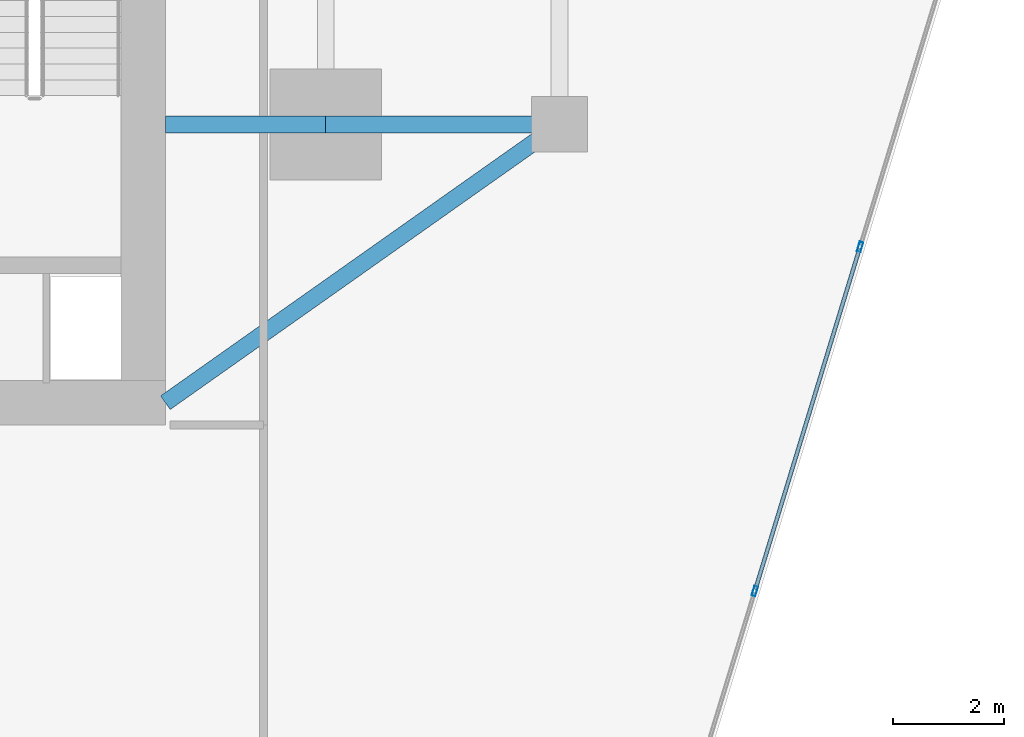
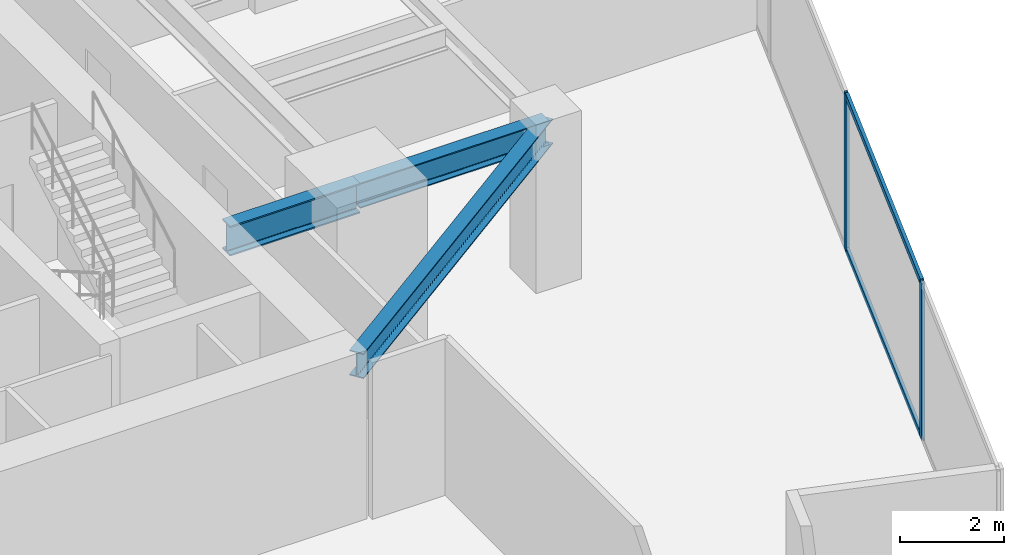
# One storey, part 10 of 26: 4 members, 3 beams, 1 element without a shape of its own.
"""IFC4 building model written with IfcOpenShell, lengths in metres."""

from ifc_helpers import new_model, si_unit, direction, frame, origin, origin_2d, place, context, subcontext, project, spatial, hollow_rectangle, i_section, extrude, source, transform, mapped, material, material_profile, profile_set, type_object, type_shapes, element, aggregate, save


model = new_model("IFC4")

# Units and contexts
model_context = context("Model", 3, precision=1e-05, world=origin(), true_north=direction((0.0, 1.0)))
body_context = subcontext(model_context, "Body", "Model", "MODEL_VIEW")
ifc_project = project(units=[si_unit("LENGTHUNIT", "METRE"), si_unit("AREAUNIT", "SQUARE_METRE"), si_unit("VOLUMEUNIT", "CUBIC_METRE"), si_unit("PLANEANGLEUNIT", "RADIAN"), si_unit("MASSUNIT", "GRAM", prefix="KILO")], contexts=[model_context])

# Site, building, storey
site_placement = place(None, origin())
site = spatial("IfcSite", under=ifc_project, at=site_placement, CompositionType="ELEMENT")
building_placement = place(site_placement, origin())
building = spatial("IfcBuilding", under=site, at=building_placement, Name="Krantzveldt Concourse Tower", CompositionType="ELEMENT")
storey_placement = place(building_placement, frame((0.0, 0.0, 109.800048828125)))
storey = spatial("IfcBuildingStorey", under=building, at=storey_placement, Name="L26", CompositionType="ELEMENT", Elevation=109.800048828125)

# Beams
ifc_material_1 = material(Name="Steel S355J2", Category="steel")
ifc_material_profile_1 = material_profile(ifc_material_1, i_section(OverallWidth=0.300048828125, OverallDepth=0.699951171875, WebThickness=0.01708984375, FlangeThickness=0.031982421875, FilletRadius=0.027099609375, at=origin_2d()), Name="Steel S355J2", Category="steel")
ifc_profile_set_1 = profile_set([ifc_material_profile_1], Name="Steel S355J2 - HEB 700")
beam_type_1 = type_object("IfcBeamType", Name="BM-B-HEB700", PredefinedType="BEAM", material=ifc_profile_set_1)
shared_shape_1 = source(origin(), body_context, "Body", "SweptSolid", [
    extrude(i_section(OverallWidth=0.300048828125, OverallDepth=0.699951171875, WebThickness=0.01708984375, FlangeThickness=0.031982421875, FilletRadius=0.027099609375, at=origin_2d()), origin(), (0.0, 0.0, 1.0), 2.880126953125),
])
type_shapes(beam_type_1, [shared_shape_1])
beam_1_placement = place(storey_placement, frame((43.919921875, 15.89990234375, 3.320068359375), z_axis=(1.0, 0.0, 0.0), x_axis=(0.0, 1.0, 0.0)))
element("IfcBeam", 1, at=beam_1_placement, inside=storey, type_object=beam_type_1, Name="L26 Tower Girder BG-CE1", PredefinedType="BEAM", context=body_context, shape_type="MappedRepresentation", body=[
    mapped(shared_shape_1, transform((0.0, 0.0, 0.0), x_axis=(1.0, 0.0, 0.0), y_axis=(0.0, 1.0, 0.0), z_axis=(0.0, 0.0, 1.0), scale=1.0)),
])
ifc_material_2 = material(Name="Steel S355JR", Category="steel")
ifc_material_profile_2 = material_profile(ifc_material_2, i_section(OverallWidth=0.300048828125, OverallDepth=0.590087890625, WebThickness=0.012939453125, FlangeThickness=0.02490234375, FilletRadius=0.027099609375, at=origin_2d()), Name="Steel S355JR", Category="steel")
ifc_profile_set_2 = profile_set([ifc_material_profile_2], Name="Steel S355JR - HEA 600")
beam_type_2 = type_object("IfcBeamType", Name="BM-B-HEA600", PredefinedType="BEAM", material=ifc_profile_set_2)
shared_shape_2 = source(origin(), body_context, "Body", "SweptSolid", [
    extrude(i_section(OverallWidth=0.300048828125, OverallDepth=0.590087890625, WebThickness=0.012939453125, FlangeThickness=0.02490234375, FilletRadius=0.027099609375, at=origin_2d()), origin(), (0.0, 0.0, 1.0), 4.199951171875),
])
beam_2_placement = place(storey_placement, frame((46.800048828125, 15.89990234375, 3.375), z_axis=(1.0, 0.0, 0.0), x_axis=(0.0, 1.0, 0.0)))
element("IfcBeam", 2, at=beam_2_placement, inside=storey, type_object=beam_type_2, Name="L26 Tower Girder BR-RR1", PredefinedType="BEAM", context=body_context, shape_type="MappedRepresentation", body=[
    mapped(shared_shape_2, transform((0.0, 0.0, 0.0), x_axis=(1.0, 0.0, 0.0), y_axis=(0.0, 1.0, 0.0), z_axis=(0.0, 0.0, 1.0), scale=1.0)),
])
shared_shape_3 = source(origin(), body_context, "Body", "SweptSolid", [
    extrude(i_section(OverallWidth=0.300048828125, OverallDepth=0.590087890625, WebThickness=0.012939453125, FlangeThickness=0.02490234375, FilletRadius=0.027099609375, at=origin_2d()), origin(), (0.0, 0.0, 1.0), 8.667724609375),
])
type_shapes(beam_type_2, [shared_shape_2, shared_shape_3])
beam_3_placement = place(storey_placement, frame((51.0, 15.89990234375, 3.375), z_axis=(-0.81684294656, -0.576860122261, 0.0), x_axis=(0.576860122261, -0.81684294656, 0.0)))
element("IfcBeam", 3, at=beam_3_placement, inside=storey, type_object=beam_type_2, Name="L26 Tower Girder BR-CSE", PredefinedType="BEAM", context=body_context, shape_type="MappedRepresentation", body=[
    mapped(shared_shape_3, transform((0.0, 0.0, 0.0), x_axis=(1.0, 0.0, 0.0), y_axis=(0.0, 1.0, 0.0), z_axis=(0.0, 0.0, 1.0), scale=1.0)),
])

# Curtain wall, members
ifc_material_3 = material(Name="Anodised aluminium 6063-T6", Category="aluminium")
curtain_wall_type = type_object("IfcCurtainWallType", Name="CW2", PredefinedType="USERDEFINED", material=ifc_material_3)
curtain_wall_placement = place(storey_placement, origin())
curtain_wall = element("IfcCurtainWall", 4, at=curtain_wall_placement, inside=storey, type_object=curtain_wall_type, Name="CW-L26-F07", ObjectType="UNITISED CURTAIN WALL", PredefinedType="USERDEFINED")
ifc_material_profile_3 = material_profile(ifc_material_3, hollow_rectangle(XDim=0.070068359375, YDim=0.179931640625, WallThickness=0.0048828125, at=origin_2d()), Name="Anodised aluminium 6063-T6", Category="aluminium")
ifc_profile_set_3 = profile_set([ifc_material_profile_3], Name="Anodised aluminium 6063-T6 - ALU-MULL 180x70x5")
member_type_1 = type_object("IfcMemberType", Name="CW-MUL-180", PredefinedType="MULLION", material=ifc_profile_set_3)
shared_shape_4 = source(origin(), body_context, "Body", "SweptSolid", [
    extrude(hollow_rectangle(XDim=0.070068359375, YDim=0.179931640625, WallThickness=0.0048828125, at=origin_2d()), origin(), (0.0, 0.0, 1.0), 3.669921875),
])
type_shapes(member_type_1, [shared_shape_4])
member_1_placement = place(storey_placement, frame((54.510009765625, 7.5166015625, 0.0), z_axis=(0.0, 0.0, 1.0), x_axis=(-0.956304761423, 0.292371686864, 0.0)))
member_1 = element("IfcMember", 5, at=member_1_placement, type_object=member_type_1, Name="CW-Z12 mullion 2", PredefinedType="MULLION", context=body_context, shape_type="MappedRepresentation", body=[
    mapped(shared_shape_4, transform((0.0, 0.0, 0.0), x_axis=(1.0, 0.0, 0.0), y_axis=(0.0, 1.0, 0.0), z_axis=(0.0, 0.0, 1.0), scale=1.0)),
])
member_2_placement = place(storey_placement, frame((56.40087890625, 13.70068359375, 0.0), z_axis=(0.0, 0.0, 1.0), x_axis=(-0.956304761423, 0.292371686864, 0.0)))
member_2 = element("IfcMember", 6, at=member_2_placement, type_object=member_type_1, Name="CW-Z12 mullion 3", PredefinedType="MULLION", context=body_context, shape_type="MappedRepresentation", body=[
    mapped(shared_shape_4, transform((0.0, 0.0, 0.0), x_axis=(1.0, 0.0, 0.0), y_axis=(0.0, 1.0, 0.0), z_axis=(0.0, 0.0, 1.0), scale=1.0)),
])
ifc_material_profile_4 = material_profile(ifc_material_3, hollow_rectangle(XDim=0.070068359375, YDim=0.139892578125, WallThickness=0.0048828125, at=origin_2d()), Name="Anodised aluminium 6063-T6", Category="aluminium")
ifc_profile_set_4 = profile_set([ifc_material_profile_4], Name="Anodised aluminium 6063-T6 - ALU-TRAN 140x70x5")
member_type_2 = type_object("IfcMemberType", Name="CW-TRN-150", PredefinedType="USERDEFINED", material=ifc_profile_set_4)
shared_shape_5 = source(origin(), body_context, "Body", "SweptSolid", [
    extrude(hollow_rectangle(XDim=0.070068359375, YDim=0.139892578125, WallThickness=0.0048828125, at=origin_2d()), origin(), (0.0, 0.0, 1.0), 6.396728515625),
])
type_shapes(member_type_2, [shared_shape_5])
member_3_placement = place(storey_placement, frame((54.520263671875, 7.550048828125, 0.034912109375), z_axis=(0.292393067434, 0.956298224466, 0.0), x_axis=(-0.956298224466, 0.292393067434, 0.0)))
member_3 = element("IfcMember", 7, at=member_3_placement, type_object=member_type_2, Name="CW-Z12 transom 2.1", ObjectType="TRANSOM", PredefinedType="USERDEFINED", context=body_context, shape_type="MappedRepresentation", body=[
    mapped(shared_shape_5, transform((0.0, 0.0, 0.0), x_axis=(1.0, 0.0, 0.0), y_axis=(0.0, 1.0, 0.0), z_axis=(0.0, 0.0, 1.0), scale=1.0)),
])
member_4_placement = place(storey_placement, frame((54.520263671875, 7.550048828125, 3.635009765625), z_axis=(0.292393067434, 0.956298224466, 0.0), x_axis=(-0.956298224466, 0.292393067434, 0.0)))
member_4 = element("IfcMember", 8, at=member_4_placement, type_object=member_type_2, Name="CW-Z12 transom 2.2", ObjectType="TRANSOM", PredefinedType="USERDEFINED", context=body_context, shape_type="MappedRepresentation", body=[
    mapped(shared_shape_5, transform((0.0, 0.0, 0.0), x_axis=(1.0, 0.0, 0.0), y_axis=(0.0, 1.0, 0.0), z_axis=(0.0, 0.0, 1.0), scale=1.0)),
])
aggregate(curtain_wall, [member_1, member_2, member_3, member_4])

save(model, "model.ifc")
